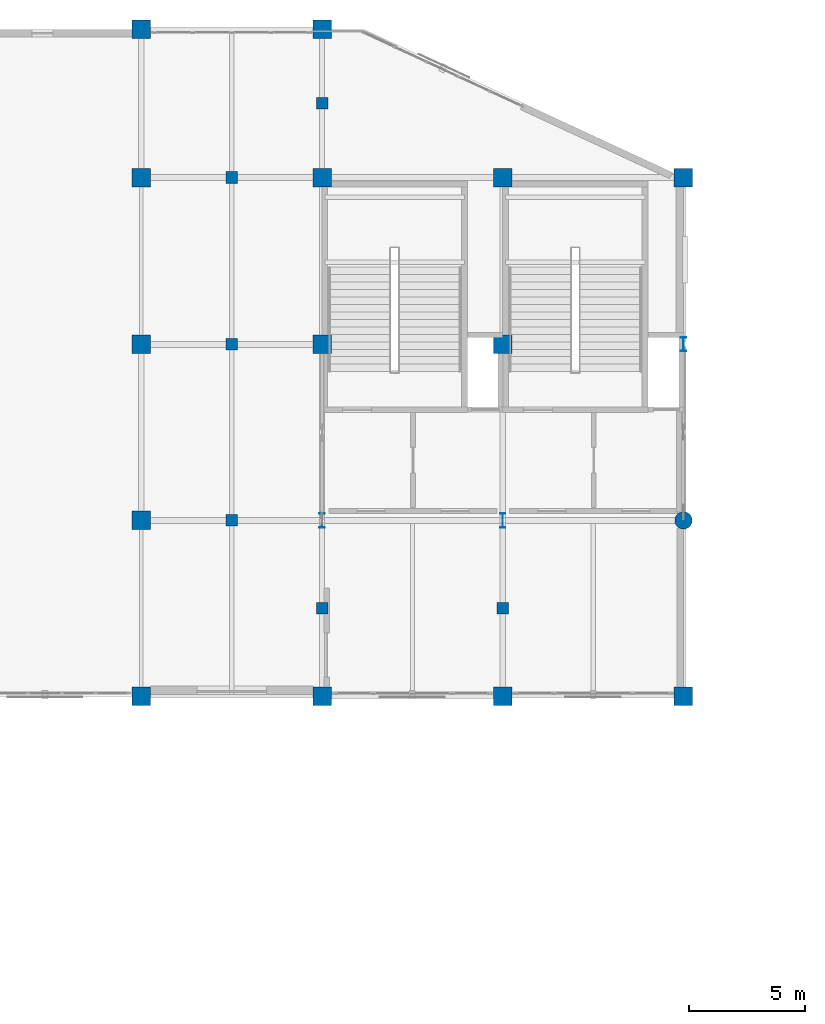
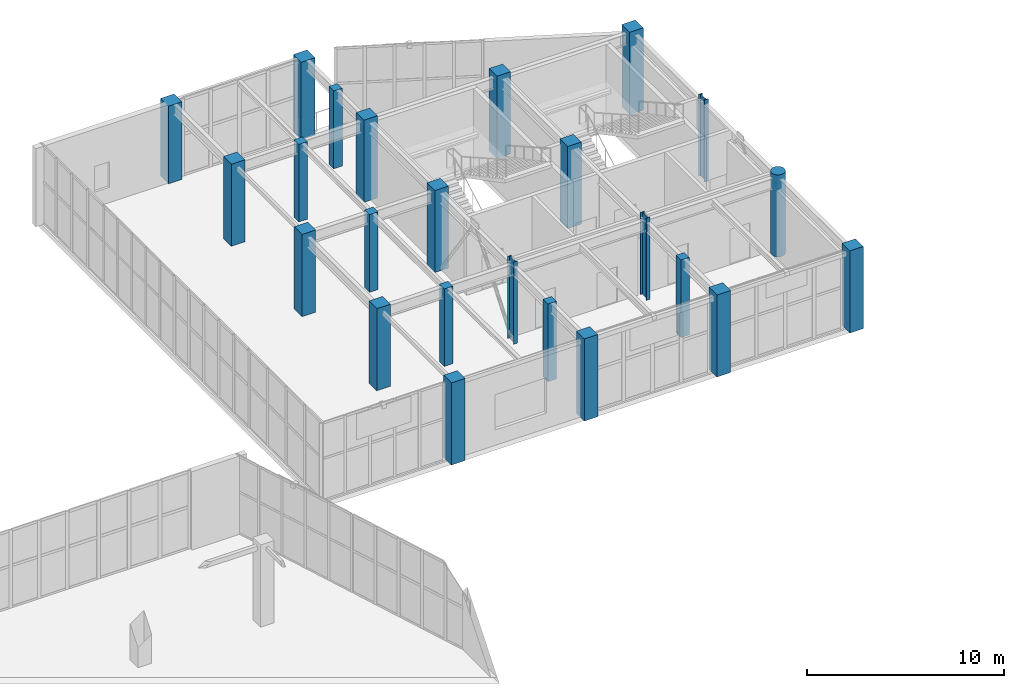
# One storey, part 8 of 128: 24 columns.
"""IFC4 building model written with IfcOpenShell, lengths in metres."""

from ifc_helpers import new_model, si_unit, direction, frame, origin, origin_2d, place, context, subcontext, project, spatial, rectangle, circle, i_section, extrude, material, material_profile, profile_set, type_object, element, save


model = new_model("IFC4")

# Units and contexts
model_context = context("Model", 3, precision=1e-05, world=origin(), true_north=direction((0.0, 1.0)))
body_context = subcontext(model_context, "Body", "Model", "MODEL_VIEW")
ifc_project = project(units=[si_unit("LENGTHUNIT", "METRE"), si_unit("AREAUNIT", "SQUARE_METRE"), si_unit("VOLUMEUNIT", "CUBIC_METRE"), si_unit("PLANEANGLEUNIT", "RADIAN"), si_unit("MASSUNIT", "GRAM", prefix="KILO")], contexts=[model_context])

# Site, building, storey
site_placement = place(None, origin())
site = spatial("IfcSite", under=ifc_project, at=site_placement, CompositionType="ELEMENT")
building_placement = place(site_placement, origin())
building = spatial("IfcBuilding", under=site, at=building_placement, Name="Xicomal Pleat Aquarium", CompositionType="ELEMENT")
storey_placement = place(building_placement, frame((0.0, 0.0, 5.39990234375)))
storey = spatial("IfcBuildingStorey", under=building, at=storey_placement, Name="L02", CompositionType="ELEMENT", Elevation=5.39990234375)

# Columns
ifc_material_1 = material(Name="Concrete C35/45", Category="concrete")
ifc_material_profile_1 = material_profile(ifc_material_1, rectangle(XDim=0.5, YDim=0.5, at=origin_2d()), Name="RC 500x500")
ifc_profile_set_1 = profile_set([ifc_material_profile_1], Name="Concrete C35/45")
column_type_1 = type_object("IfcColumnType", Name="COL-RC-500x500", PredefinedType="COLUMN", material=ifc_profile_set_1)
for number, where, z_axis, x_axis, name in (
    (1, (137.699951171875, 83.60009765625, 0.0), (0.0, 0.0, 1.0), (1.0, 0.0, 0.0), "L02 intermediate support column SUB-27"),
    (2, (137.699951171875, 91.199951171875, 0.0), (0.0, 0.0, 1.0), (1.0, 0.0, 0.0), "L02 intermediate support column SUB-28"),
    (3, (137.699951171875, 98.39990234375, 0.0), (0.0, 0.0, 1.0), (1.0, 0.0, 0.0), "L02 intermediate support column SUB-29"),
    (4, (141.60009765625, 79.800048828125, 0.0), (0.0, 0.0, 1.0), (1.0, 0.0, 0.0), "L02 intermediate support column SUB-63"),
    (5, (141.60009765625, 101.60009765625, 0.0), (0.0, 0.0, 1.0), (1.0, 0.0, 0.0), "L02 intermediate support column SUB-64"),
    (6, (149.39990234375, 79.800048828125, 0.0), (0.0, 0.0, 1.0), (1.0, 0.0, 0.0), "L02 intermediate support column SUB-65"),
):
    element("IfcColumn", number, at=place(storey_placement, frame(where, z_axis=z_axis, x_axis=x_axis)), inside=storey, type_object=column_type_1, Name=name, PredefinedType="COLUMN", context=body_context, shape_type="SweptSolid", body=[
        extrude(rectangle(XDim=0.5, YDim=0.5, at=origin_2d()), origin(), (0.0, 0.0, 1.0), 4.820068359375),
    ])
ifc_material_2 = material(Name="Concrete C40/50", Category="concrete")
ifc_material_profile_2 = material_profile(ifc_material_2, rectangle(XDim=0.800048828125, YDim=0.800048828125, at=origin_2d()), Name="RC 800x800")
ifc_profile_set_2 = profile_set([ifc_material_profile_2], Name="Concrete C40/50")
column_type_2 = type_object("IfcColumnType", Name="COL-RC-800x800", PredefinedType="COLUMN", material=ifc_profile_set_2)
for number, where, z_axis, x_axis, name in (
    (7, (133.800048828125, 76.0, 0.0), (0.0, 0.0, 1.0), (1.0, 0.0, 0.0), "L02 column 17/L"),
    (8, (133.800048828125, 83.60009765625, 0.0), (0.0, 0.0, 1.0), (1.0, 0.0, 0.0), "L02 column 17/M"),
    (9, (133.800048828125, 91.199951171875, 0.0), (0.0, 0.0, 1.0), (1.0, 0.0, 0.0), "L02 column 17/N"),
    (10, (133.800048828125, 98.39990234375, 0.0), (0.0, 0.0, 1.0), (1.0, 0.0, 0.0), "L02 column 17/P"),
):
    element("IfcColumn", number, at=place(storey_placement, frame(where, z_axis=z_axis, x_axis=x_axis)), inside=storey, type_object=column_type_2, Name=name, PredefinedType="COLUMN", context=body_context, shape_type="SweptSolid", body=[
        extrude(rectangle(XDim=0.800048828125, YDim=0.800048828125, at=origin_2d()), origin(), (0.0, 0.0, 1.0), 5.10009765625),
    ])
column_1_placement = place(storey_placement, frame((133.800048828125, 104.800048828125, 0.0), z_axis=(0.0, 0.0, 1.0), x_axis=(1.0, 0.0, 0.0)))
element("IfcColumn", 11, at=column_1_placement, inside=storey, type_object=column_type_2, Name="L02 column 17/Q", PredefinedType="COLUMN", context=body_context, shape_type="SweptSolid", body=[
    extrude(rectangle(XDim=0.800048828125, YDim=0.800048828125, at=origin_2d()), origin(), (0.0, 0.0, 1.0), 4.820068359375),
])
for number, where, z_axis, x_axis, name in (
    (12, (141.60009765625, 76.0, 0.0), (0.0, 0.0, 1.0), (1.0, 0.0, 0.0), "L02 column 18/L"),
    (13, (141.60009765625, 91.199951171875, 0.0), (0.0, 0.0, 1.0), (1.0, 0.0, 0.0), "L02 column 18/N"),
    (14, (141.60009765625, 98.39990234375, 0.0), (0.0, 0.0, 1.0), (1.0, 0.0, 0.0), "L02 column 18/P"),
):
    element("IfcColumn", number, at=place(storey_placement, frame(where, z_axis=z_axis, x_axis=x_axis)), inside=storey, type_object=column_type_2, Name=name, PredefinedType="COLUMN", context=body_context, shape_type="SweptSolid", body=[
        extrude(rectangle(XDim=0.800048828125, YDim=0.800048828125, at=origin_2d()), origin(), (0.0, 0.0, 1.0), 5.10009765625),
    ])
column_2_placement = place(storey_placement, frame((141.60009765625, 104.800048828125, 0.0), z_axis=(0.0, 0.0, 1.0), x_axis=(1.0, 0.0, 0.0)))
element("IfcColumn", 15, at=column_2_placement, inside=storey, type_object=column_type_2, Name="L02 column 18/Q", PredefinedType="COLUMN", context=body_context, shape_type="SweptSolid", body=[
    extrude(rectangle(XDim=0.800048828125, YDim=0.800048828125, at=origin_2d()), origin(), (0.0, 0.0, 1.0), 4.820068359375),
])
for number, where, z_axis, x_axis, name in (
    (16, (149.39990234375, 76.0, 0.0), (0.0, 0.0, 1.0), (1.0, 0.0, 0.0), "L02 column 19/L"),
    (17, (149.39990234375, 91.199951171875, 0.0), (0.0, 0.0, 1.0), (1.0, 0.0, 0.0), "L02 column 19/N"),
    (18, (149.39990234375, 98.39990234375, 0.0), (0.0, 0.0, 1.0), (1.0, 0.0, 0.0), "L02 column 19/P"),
    (19, (157.199951171875, 76.0, 0.0), (0.0, 0.0, 1.0), (1.0, 0.0, 0.0), "L02 column 20/L"),
    (20, (157.199951171875, 98.39990234375, 0.0), (0.0, 0.0, 1.0), (1.0, 0.0, 0.0), "L02 column 20/P"),
):
    element("IfcColumn", number, at=place(storey_placement, frame(where, z_axis=z_axis, x_axis=x_axis)), inside=storey, type_object=column_type_2, Name=name, PredefinedType="COLUMN", context=body_context, shape_type="SweptSolid", body=[
        extrude(rectangle(XDim=0.800048828125, YDim=0.800048828125, at=origin_2d()), origin(), (0.0, 0.0, 1.0), 5.10009765625),
    ])
ifc_material_3 = material(Name="Concrete C40/50", Category="concrete")
ifc_material_profile_3 = material_profile(ifc_material_3, circle(Radius=0.375, at=origin_2d()), Name="RCC D750")
ifc_profile_set_3 = profile_set([ifc_material_profile_3], Name="Concrete C40/50")
column_type_3 = type_object("IfcColumnType", Name="COL-RCC-D750", PredefinedType="COLUMN", material=ifc_profile_set_3)
column_3_placement = place(storey_placement, frame((157.199951171875, 83.60009765625, 0.0), z_axis=(0.0, 0.0, 1.0), x_axis=(1.0, 0.0, 0.0)))
element("IfcColumn", 21, at=column_3_placement, inside=storey, type_object=column_type_3, Name="L02 column 20/M", PredefinedType="COLUMN", context=body_context, shape_type="SweptSolid", body=[
    extrude(circle(Radius=0.375, at=origin_2d()), origin(), (0.0, 0.0, 1.0), 5.10009765625),
])
ifc_material_4 = material(Name="Structural steel A992 Gr 50", Category="steel")
ifc_material_profile_4 = material_profile(ifc_material_4, i_section(OverallWidth=0.22998046875, OverallDepth=0.616943359375, WebThickness=0.01318359375, FlangeThickness=0.022216796875, at=origin_2d()), Name="IR 610x140")
ifc_profile_set_4 = profile_set([ifc_material_profile_4], Name="Structural steel A992 Gr 50")
column_type_4 = type_object("IfcColumnType", Name="COL-STL-IR610", PredefinedType="COLUMN", material=ifc_profile_set_4)
for number, where, z_axis, x_axis, name in (
    (22, (141.60009765625, 83.60009765625, 0.0), (0.0, 0.0, 1.0), (1.0, 0.0, 0.0), "L02 column 18/M"),
    (23, (149.39990234375, 83.60009765625, 0.0), (0.0, 0.0, 1.0), (1.0, 0.0, 0.0), "L02 column 19/M"),
    (24, (157.199951171875, 91.199951171875, 0.0), (0.0, 0.0, 1.0), (1.0, 0.0, 0.0), "L02 column 20/N"),
):
    element("IfcColumn", number, at=place(storey_placement, frame(where, z_axis=z_axis, x_axis=x_axis)), inside=storey, type_object=column_type_4, Name=name, PredefinedType="COLUMN", context=body_context, shape_type="SweptSolid", body=[
        extrude(i_section(OverallWidth=0.22998046875, OverallDepth=0.616943359375, WebThickness=0.01318359375, FlangeThickness=0.022216796875, at=origin_2d()), origin(), (0.0, 0.0, 1.0), 5.10009765625),
    ])

save(model, "model.ifc")
